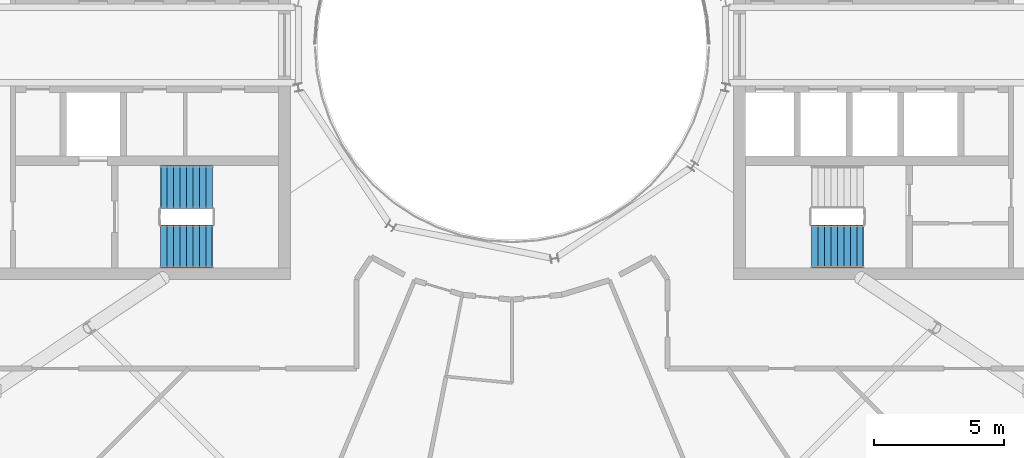
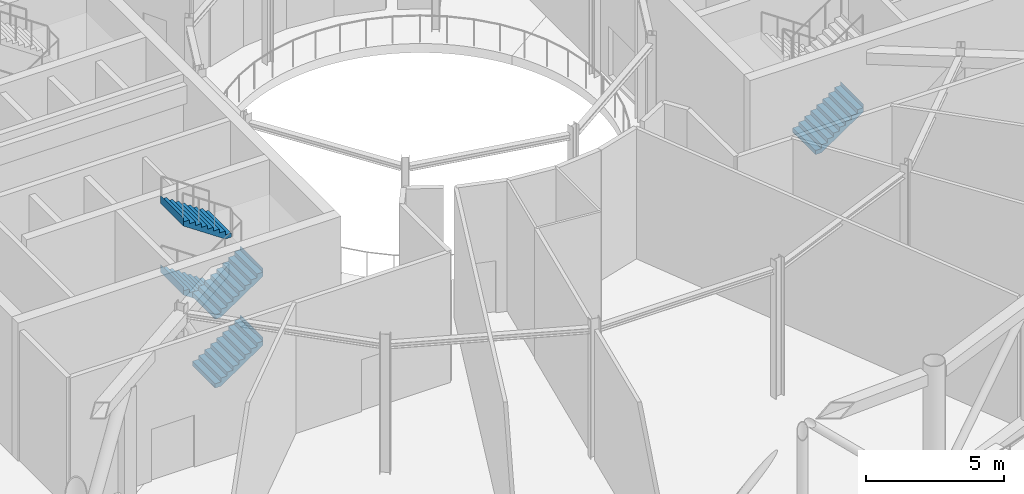
# One storey, part 16 of 24: 5 stair flights, 2 elements without a shape of their own.
"""IFC4 building model written with IfcOpenShell, lengths in metres."""

from ifc_helpers import new_model, si_unit, direction, frame, origin, place, context, subcontext, project, spatial, triangles, material, type_object, element, aggregate, save


model = new_model("IFC4")

# Units and contexts
model_context = context("Model", 3, precision=1e-05, world=origin(), true_north=direction((0.0, 1.0)))
body_context = subcontext(model_context, "Body", "Model", "MODEL_VIEW")
ifc_project = project(units=[si_unit("LENGTHUNIT", "METRE"), si_unit("AREAUNIT", "SQUARE_METRE"), si_unit("VOLUMEUNIT", "CUBIC_METRE"), si_unit("PLANEANGLEUNIT", "RADIAN"), si_unit("MASSUNIT", "GRAM", prefix="KILO")], contexts=[model_context])

# Site, building, storey
site_placement = place(None, origin())
site = spatial("IfcSite", under=ifc_project, at=site_placement, CompositionType="ELEMENT")
building_placement = place(site_placement, origin())
building = spatial("IfcBuilding", under=site, at=building_placement, Name="Maasbend Ring Residences", CompositionType="ELEMENT")
storey_placement = place(building_placement, frame((0.0, 0.0, 221.85009765625)))
storey = spatial("IfcBuildingStorey", under=building, at=storey_placement, Name="L64", CompositionType="ELEMENT", Elevation=221.85009765625)

# Stair, stair flight
ifc_material_1 = material(Name="Concrete C40/50", Category="concrete")
stair_type = type_object("IfcStairType", Name="CORE STAIR 36 RISERS", PredefinedType="HALF_TURN_STAIR", material=ifc_material_1)
stair_1_placement = place(storey_placement, origin())
stair_1 = element("IfcStair", 1, at=stair_1_placement, inside=storey, type_object=stair_type, Name="L64 Exit stair ST-E2", PredefinedType="HALF_TURN_STAIR")
ifc_material_2 = material(Name="Concrete C40/50", Category="concrete")
stair_flight_type = type_object("IfcStairFlightType", Name="CORE STAIR FLIGHT 1650", PredefinedType="STRAIGHT", material=ifc_material_2)
stair_flight_1_placement = place(storey_placement, frame((11.550048828125, -7.77490234375, 1.52490234375), z_axis=(0.0, 0.0, 1.0), x_axis=(1.0, 0.0, 0.0)))
stair_flight_1 = element("IfcStairFlight", 2, at=stair_flight_1_placement, type_object=stair_flight_type, Name="ST-E2 flight 2", NumberOfRisers=9, NumberOfTreads=8, PredefinedType="STRAIGHT", RiserHeight=0.169444444, TreadLength=0.25, context=body_context, shape_type="Tessellation", body=[
    triangles([(0.24072265625, 0.824951171875, -0.02001953125), (2.0029296875, 0.824951171875, 1.174560546875), (2.0029296875, 0.824951171875, 1.52490234375), (1.989990234375, 0.824951171875, 1.35546875), (1.75, 0.824951171875, 1.35546875), (1.75, 0.824951171875, 1.18603515625), (1.5, 0.824951171875, 1.18603515625), (1.5, 0.824951171875, 1.0166015625), (1.25, 0.824951171875, 1.0166015625), (1.25, 0.824951171875, 0.84716796875), (1.0, 0.824951171875, 0.84716796875), (1.0, 0.824951171875, 0.677734375), (0.75, 0.824951171875, 0.677734375), (0.75, 0.824951171875, 0.50830078125), (0.5, 0.824951171875, 0.50830078125), (0.5, 0.824951171875, 0.3388671875), (0.25, 0.824951171875, 0.3388671875), (0.25, 0.824951171875, 0.16943359375), (0.0, 0.824951171875, 0.16943359375), (0.0, 0.824951171875, 0.0), (-0.0029296875, 0.824951171875, 0.0), (-0.0029296875, 0.824951171875, -0.02001953125), (0.24072265625, 0.27490234375, -0.02001953125), (2.0029296875, 0.27490234375, 1.174560546875), (2.0029296875, 0.27490234375, 1.52490234375), (1.989990234375, 0.27490234375, 1.35546875), (1.75, 0.27490234375, 1.35546875), (1.75, 0.27490234375, 1.18603515625), (1.5, 0.27490234375, 1.18603515625), (1.5, 0.27490234375, 1.0166015625), (1.25, 0.27490234375, 1.0166015625), (1.25, 0.27490234375, 0.84716796875), (1.0, 0.27490234375, 0.84716796875), (1.0, 0.27490234375, 0.677734375), (0.75, 0.27490234375, 0.677734375), (0.75, 0.27490234375, 0.50830078125), (0.5, 0.27490234375, 0.50830078125), (0.5, 0.27490234375, 0.3388671875), (0.25, 0.27490234375, 0.3388671875), (0.25, 0.27490234375, 0.16943359375), (0.0, 0.27490234375, 0.16943359375), (0.0, 0.27490234375, 0.0), (-0.0029296875, 0.27490234375, 0.0), (-0.0029296875, 0.27490234375, -0.02001953125), (0.24072265625, -0.27490234375, -0.02001953125), (2.0029296875, -0.27490234375, 1.174560546875), (2.0029296875, -0.27490234375, 1.52490234375), (1.989990234375, -0.27490234375, 1.35546875), (1.75, -0.27490234375, 1.35546875), (1.75, -0.27490234375, 1.18603515625), (1.5, -0.27490234375, 1.18603515625), (1.5, -0.27490234375, 1.0166015625), (1.25, -0.27490234375, 1.0166015625), (1.25, -0.27490234375, 0.84716796875), (1.0, -0.27490234375, 0.84716796875), (1.0, -0.27490234375, 0.677734375), (0.75, -0.27490234375, 0.677734375), (0.75, -0.27490234375, 0.50830078125), (0.5, -0.27490234375, 0.50830078125), (0.5, -0.27490234375, 0.3388671875), (0.25, -0.27490234375, 0.3388671875), (0.25, -0.27490234375, 0.16943359375), (0.0, -0.27490234375, 0.16943359375), (0.0, -0.27490234375, 0.0), (-0.0029296875, -0.27490234375, 0.0), (-0.0029296875, -0.27490234375, -0.02001953125), (0.24072265625, -0.824951171875, -0.02001953125), (2.0029296875, -0.824951171875, 1.174560546875), (2.0029296875, -0.824951171875, 1.52490234375), (1.989990234375, -0.824951171875, 1.35546875), (1.75, -0.824951171875, 1.35546875), (1.75, -0.824951171875, 1.18603515625), (1.5, -0.824951171875, 1.18603515625), (1.5, -0.824951171875, 1.0166015625), (1.25, -0.824951171875, 1.0166015625), (1.25, -0.824951171875, 0.84716796875), (1.0, -0.824951171875, 0.84716796875), (1.0, -0.824951171875, 0.677734375), (0.75, -0.824951171875, 0.677734375), (0.75, -0.824951171875, 0.50830078125), (0.5, -0.824951171875, 0.50830078125), (0.5, -0.824951171875, 0.3388671875), (0.25, -0.824951171875, 0.3388671875), (0.25, -0.824951171875, 0.16943359375), (0.0, -0.824951171875, 0.16943359375), (0.0, -0.824951171875, 0.0), (-0.0029296875, -0.824951171875, 0.0), (-0.0029296875, -0.824951171875, -0.02001953125)], [[1, 2, 24], [1, 24, 23], [23, 24, 46], [23, 46, 45], [45, 46, 68], [45, 68, 67], [2, 3, 25], [2, 25, 24], [24, 25, 47], [24, 47, 46], [46, 47, 69], [46, 69, 68], [3, 4, 26], [3, 26, 25], [25, 26, 48], [25, 48, 47], [47, 48, 70], [47, 70, 69], [4, 5, 27], [4, 27, 26], [26, 27, 49], [26, 49, 48], [48, 49, 71], [48, 71, 70], [5, 6, 28], [5, 28, 27], [27, 28, 50], [27, 50, 49], [49, 50, 72], [49, 72, 71], [6, 7, 29], [6, 29, 28], [28, 29, 51], [28, 51, 50], [50, 51, 73], [50, 73, 72], [7, 8, 30], [7, 30, 29], [29, 30, 52], [29, 52, 51], [51, 52, 74], [51, 74, 73], [8, 9, 31], [8, 31, 30], [30, 31, 53], [30, 53, 52], [52, 53, 75], [52, 75, 74], [9, 10, 32], [9, 32, 31], [31, 32, 54], [31, 54, 53], [53, 54, 76], [53, 76, 75], [10, 11, 33], [10, 33, 32], [32, 33, 55], [32, 55, 54], [54, 55, 77], [54, 77, 76], [11, 12, 34], [11, 34, 33], [33, 34, 56], [33, 56, 55], [55, 56, 78], [55, 78, 77], [12, 13, 35], [12, 35, 34], [34, 35, 57], [34, 57, 56], [56, 57, 79], [56, 79, 78], [13, 14, 36], [13, 36, 35], [35, 36, 58], [35, 58, 57], [57, 58, 80], [57, 80, 79], [14, 15, 37], [14, 37, 36], [36, 37, 59], [36, 59, 58], [58, 59, 81], [58, 81, 80], [15, 16, 38], [15, 38, 37], [37, 38, 60], [37, 60, 59], [59, 60, 82], [59, 82, 81], [16, 17, 39], [16, 39, 38], [38, 39, 61], [38, 61, 60], [60, 61, 83], [60, 83, 82], [17, 18, 40], [17, 40, 39], [39, 40, 62], [39, 62, 61], [61, 62, 84], [61, 84, 83], [18, 19, 41], [18, 41, 40], [40, 41, 63], [40, 63, 62], [62, 63, 85], [62, 85, 84], [19, 20, 42], [19, 42, 41], [41, 42, 64], [41, 64, 63], [63, 64, 86], [63, 86, 85], [20, 21, 43], [20, 43, 42], [42, 43, 65], [42, 65, 64], [64, 65, 87], [64, 87, 86], [21, 22, 44], [21, 44, 43], [43, 44, 66], [43, 66, 65], [65, 66, 88], [65, 88, 87], [22, 1, 23], [22, 23, 44], [44, 23, 45], [44, 45, 66], [66, 45, 67], [66, 67, 88], [22, 2, 1], [2, 4, 3], [2, 5, 4], [2, 6, 5], [22, 6, 2], [6, 8, 7], [22, 8, 6], [8, 10, 9], [22, 10, 8], [10, 12, 11], [22, 12, 10], [12, 14, 13], [22, 14, 12], [14, 16, 15], [22, 16, 14], [16, 18, 17], [22, 18, 16], [18, 20, 19], [22, 20, 18], [20, 22, 21], [88, 67, 68], [68, 69, 70], [68, 70, 71], [68, 71, 72], [88, 68, 72], [72, 73, 74], [88, 72, 74], [74, 75, 76], [88, 74, 76], [76, 77, 78], [88, 76, 78], [78, 79, 80], [88, 78, 80], [80, 81, 82], [88, 80, 82], [82, 83, 84], [88, 82, 84], [84, 85, 86], [88, 84, 86], [86, 87, 88]], closed=True),
])
aggregate(stair_1, [stair_flight_1])

# Stair, stair flights
stair_2_placement = place(storey_placement, origin())
stair_2 = element("IfcStair", 3, at=stair_2_placement, inside=storey, type_object=stair_type, Name="L64 Exit stair ST-W1", PredefinedType="HALF_TURN_STAIR")
stair_flight_2_placement = place(storey_placement, frame((-13.550048828125, -7.77490234375, 0.0), z_axis=(0.0, 0.0, 1.0), x_axis=(1.0, 0.0, 0.0)))
stair_flight_2 = element("IfcStairFlight", 4, at=stair_flight_2_placement, type_object=stair_flight_type, Name="ST-W1 flight 1", NumberOfRisers=9, NumberOfTreads=8, PredefinedType="STRAIGHT", RiserHeight=0.169444444, TreadLength=0.25, context=body_context, shape_type="Tessellation", body=[
    triangles([(0.24072265625, 0.824951171875, -0.02001953125), (2.0029296875, 0.824951171875, 1.174560546875), (2.0029296875, 0.824951171875, 1.52490234375), (1.989990234375, 0.824951171875, 1.35546875), (1.75, 0.824951171875, 1.35546875), (1.75, 0.824951171875, 1.18603515625), (1.5, 0.824951171875, 1.18603515625), (1.5, 0.824951171875, 1.0166015625), (1.25, 0.824951171875, 1.0166015625), (1.25, 0.824951171875, 0.84716796875), (1.0, 0.824951171875, 0.84716796875), (1.0, 0.824951171875, 0.677734375), (0.75, 0.824951171875, 0.677734375), (0.75, 0.824951171875, 0.50830078125), (0.5, 0.824951171875, 0.50830078125), (0.5, 0.824951171875, 0.3388671875), (0.25, 0.824951171875, 0.3388671875), (0.25, 0.824951171875, 0.16943359375), (0.0, 0.824951171875, 0.16943359375), (0.0, 0.824951171875, 0.0), (-0.0029296875, 0.824951171875, 0.0), (-0.0029296875, 0.824951171875, -0.02001953125), (0.24072265625, 0.27490234375, -0.02001953125), (2.0029296875, 0.27490234375, 1.174560546875), (2.0029296875, 0.27490234375, 1.52490234375), (1.989990234375, 0.27490234375, 1.35546875), (1.75, 0.27490234375, 1.35546875), (1.75, 0.27490234375, 1.18603515625), (1.5, 0.27490234375, 1.18603515625), (1.5, 0.27490234375, 1.0166015625), (1.25, 0.27490234375, 1.0166015625), (1.25, 0.27490234375, 0.84716796875), (1.0, 0.27490234375, 0.84716796875), (1.0, 0.27490234375, 0.677734375), (0.75, 0.27490234375, 0.677734375), (0.75, 0.27490234375, 0.50830078125), (0.5, 0.27490234375, 0.50830078125), (0.5, 0.27490234375, 0.3388671875), (0.25, 0.27490234375, 0.3388671875), (0.25, 0.27490234375, 0.16943359375), (0.0, 0.27490234375, 0.16943359375), (0.0, 0.27490234375, 0.0), (-0.0029296875, 0.27490234375, 0.0), (-0.0029296875, 0.27490234375, -0.02001953125), (0.24072265625, -0.27490234375, -0.02001953125), (2.0029296875, -0.27490234375, 1.174560546875), (2.0029296875, -0.27490234375, 1.52490234375), (1.989990234375, -0.27490234375, 1.35546875), (1.75, -0.27490234375, 1.35546875), (1.75, -0.27490234375, 1.18603515625), (1.5, -0.27490234375, 1.18603515625), (1.5, -0.27490234375, 1.0166015625), (1.25, -0.27490234375, 1.0166015625), (1.25, -0.27490234375, 0.84716796875), (1.0, -0.27490234375, 0.84716796875), (1.0, -0.27490234375, 0.677734375), (0.75, -0.27490234375, 0.677734375), (0.75, -0.27490234375, 0.50830078125), (0.5, -0.27490234375, 0.50830078125), (0.5, -0.27490234375, 0.3388671875), (0.25, -0.27490234375, 0.3388671875), (0.25, -0.27490234375, 0.16943359375), (0.0, -0.27490234375, 0.16943359375), (0.0, -0.27490234375, 0.0), (-0.0029296875, -0.27490234375, 0.0), (-0.0029296875, -0.27490234375, -0.02001953125), (0.24072265625, -0.824951171875, -0.02001953125), (2.0029296875, -0.824951171875, 1.174560546875), (2.0029296875, -0.824951171875, 1.52490234375), (1.989990234375, -0.824951171875, 1.35546875), (1.75, -0.824951171875, 1.35546875), (1.75, -0.824951171875, 1.18603515625), (1.5, -0.824951171875, 1.18603515625), (1.5, -0.824951171875, 1.0166015625), (1.25, -0.824951171875, 1.0166015625), (1.25, -0.824951171875, 0.84716796875), (1.0, -0.824951171875, 0.84716796875), (1.0, -0.824951171875, 0.677734375), (0.75, -0.824951171875, 0.677734375), (0.75, -0.824951171875, 0.50830078125), (0.5, -0.824951171875, 0.50830078125), (0.5, -0.824951171875, 0.3388671875), (0.25, -0.824951171875, 0.3388671875), (0.25, -0.824951171875, 0.16943359375), (0.0, -0.824951171875, 0.16943359375), (0.0, -0.824951171875, 0.0), (-0.0029296875, -0.824951171875, 0.0), (-0.0029296875, -0.824951171875, -0.02001953125)], [[1, 2, 24], [1, 24, 23], [23, 24, 46], [23, 46, 45], [45, 46, 68], [45, 68, 67], [2, 3, 25], [2, 25, 24], [24, 25, 47], [24, 47, 46], [46, 47, 69], [46, 69, 68], [3, 4, 26], [3, 26, 25], [25, 26, 48], [25, 48, 47], [47, 48, 70], [47, 70, 69], [4, 5, 27], [4, 27, 26], [26, 27, 49], [26, 49, 48], [48, 49, 71], [48, 71, 70], [5, 6, 28], [5, 28, 27], [27, 28, 50], [27, 50, 49], [49, 50, 72], [49, 72, 71], [6, 7, 29], [6, 29, 28], [28, 29, 51], [28, 51, 50], [50, 51, 73], [50, 73, 72], [7, 8, 30], [7, 30, 29], [29, 30, 52], [29, 52, 51], [51, 52, 74], [51, 74, 73], [8, 9, 31], [8, 31, 30], [30, 31, 53], [30, 53, 52], [52, 53, 75], [52, 75, 74], [9, 10, 32], [9, 32, 31], [31, 32, 54], [31, 54, 53], [53, 54, 76], [53, 76, 75], [10, 11, 33], [10, 33, 32], [32, 33, 55], [32, 55, 54], [54, 55, 77], [54, 77, 76], [11, 12, 34], [11, 34, 33], [33, 34, 56], [33, 56, 55], [55, 56, 78], [55, 78, 77], [12, 13, 35], [12, 35, 34], [34, 35, 57], [34, 57, 56], [56, 57, 79], [56, 79, 78], [13, 14, 36], [13, 36, 35], [35, 36, 58], [35, 58, 57], [57, 58, 80], [57, 80, 79], [14, 15, 37], [14, 37, 36], [36, 37, 59], [36, 59, 58], [58, 59, 81], [58, 81, 80], [15, 16, 38], [15, 38, 37], [37, 38, 60], [37, 60, 59], [59, 60, 82], [59, 82, 81], [16, 17, 39], [16, 39, 38], [38, 39, 61], [38, 61, 60], [60, 61, 83], [60, 83, 82], [17, 18, 40], [17, 40, 39], [39, 40, 62], [39, 62, 61], [61, 62, 84], [61, 84, 83], [18, 19, 41], [18, 41, 40], [40, 41, 63], [40, 63, 62], [62, 63, 85], [62, 85, 84], [19, 20, 42], [19, 42, 41], [41, 42, 64], [41, 64, 63], [63, 64, 86], [63, 86, 85], [20, 21, 43], [20, 43, 42], [42, 43, 65], [42, 65, 64], [64, 65, 87], [64, 87, 86], [21, 22, 44], [21, 44, 43], [43, 44, 66], [43, 66, 65], [65, 66, 88], [65, 88, 87], [22, 1, 23], [22, 23, 44], [44, 23, 45], [44, 45, 66], [66, 45, 67], [66, 67, 88], [22, 2, 1], [2, 4, 3], [2, 5, 4], [2, 6, 5], [22, 6, 2], [6, 8, 7], [22, 8, 6], [8, 10, 9], [22, 10, 8], [10, 12, 11], [22, 12, 10], [12, 14, 13], [22, 14, 12], [14, 16, 15], [22, 16, 14], [16, 18, 17], [22, 18, 16], [18, 20, 19], [22, 20, 18], [20, 22, 21], [88, 67, 68], [68, 69, 70], [68, 70, 71], [68, 71, 72], [88, 68, 72], [72, 73, 74], [88, 72, 74], [74, 75, 76], [88, 74, 76], [76, 77, 78], [88, 76, 78], [78, 79, 80], [88, 78, 80], [80, 81, 82], [88, 80, 82], [82, 83, 84], [88, 82, 84], [84, 85, 86], [88, 84, 86], [86, 87, 88]], closed=True),
])
stair_flight_3_placement = place(storey_placement, frame((-11.550048828125, -5.47509765625, 1.52490234375), z_axis=(0.0, 0.0, 1.0), x_axis=(-1.0, 0.0, 0.0)))
stair_flight_3 = element("IfcStairFlight", 5, at=stair_flight_3_placement, type_object=stair_flight_type, Name="ST-W1 flight 2", NumberOfRisers=9, NumberOfTreads=8, PredefinedType="STRAIGHT", RiserHeight=0.169444444, TreadLength=0.25, context=body_context, shape_type="Tessellation", body=[
    triangles([(0.24072265625, 0.824951171875, -0.02001953125), (2.0029296875, 0.824951171875, 1.174560546875), (2.0029296875, 0.824951171875, 1.52490234375), (1.989990234375, 0.824951171875, 1.35546875), (1.75, 0.824951171875, 1.35546875), (1.75, 0.824951171875, 1.18603515625), (1.5, 0.824951171875, 1.18603515625), (1.5, 0.824951171875, 1.0166015625), (1.25, 0.824951171875, 1.0166015625), (1.25, 0.824951171875, 0.84716796875), (1.0, 0.824951171875, 0.84716796875), (1.0, 0.824951171875, 0.677734375), (0.75, 0.824951171875, 0.677734375), (0.75, 0.824951171875, 0.50830078125), (0.5, 0.824951171875, 0.50830078125), (0.5, 0.824951171875, 0.3388671875), (0.25, 0.824951171875, 0.3388671875), (0.25, 0.824951171875, 0.16943359375), (0.0, 0.824951171875, 0.16943359375), (0.0, 0.824951171875, 0.0), (-0.0029296875, 0.824951171875, 0.0), (-0.0029296875, 0.824951171875, -0.02001953125), (0.24072265625, 0.27490234375, -0.02001953125), (2.0029296875, 0.27490234375, 1.174560546875), (2.0029296875, 0.27490234375, 1.52490234375), (1.989990234375, 0.27490234375, 1.35546875), (1.75, 0.27490234375, 1.35546875), (1.75, 0.27490234375, 1.18603515625), (1.5, 0.27490234375, 1.18603515625), (1.5, 0.27490234375, 1.0166015625), (1.25, 0.27490234375, 1.0166015625), (1.25, 0.27490234375, 0.84716796875), (1.0, 0.27490234375, 0.84716796875), (1.0, 0.27490234375, 0.677734375), (0.75, 0.27490234375, 0.677734375), (0.75, 0.27490234375, 0.50830078125), (0.5, 0.27490234375, 0.50830078125), (0.5, 0.27490234375, 0.3388671875), (0.25, 0.27490234375, 0.3388671875), (0.25, 0.27490234375, 0.16943359375), (0.0, 0.27490234375, 0.16943359375), (0.0, 0.27490234375, 0.0), (-0.0029296875, 0.27490234375, 0.0), (-0.0029296875, 0.27490234375, -0.02001953125), (0.24072265625, -0.27490234375, -0.02001953125), (2.0029296875, -0.27490234375, 1.174560546875), (2.0029296875, -0.27490234375, 1.52490234375), (1.989990234375, -0.27490234375, 1.35546875), (1.75, -0.27490234375, 1.35546875), (1.75, -0.27490234375, 1.18603515625), (1.5, -0.27490234375, 1.18603515625), (1.5, -0.27490234375, 1.0166015625), (1.25, -0.27490234375, 1.0166015625), (1.25, -0.27490234375, 0.84716796875), (1.0, -0.27490234375, 0.84716796875), (1.0, -0.27490234375, 0.677734375), (0.75, -0.27490234375, 0.677734375), (0.75, -0.27490234375, 0.50830078125), (0.5, -0.27490234375, 0.50830078125), (0.5, -0.27490234375, 0.3388671875), (0.25, -0.27490234375, 0.3388671875), (0.25, -0.27490234375, 0.16943359375), (0.0, -0.27490234375, 0.16943359375), (0.0, -0.27490234375, 0.0), (-0.0029296875, -0.27490234375, 0.0), (-0.0029296875, -0.27490234375, -0.02001953125), (0.24072265625, -0.824951171875, -0.02001953125), (2.0029296875, -0.824951171875, 1.174560546875), (2.0029296875, -0.824951171875, 1.52490234375), (1.989990234375, -0.824951171875, 1.35546875), (1.75, -0.824951171875, 1.35546875), (1.75, -0.824951171875, 1.18603515625), (1.5, -0.824951171875, 1.18603515625), (1.5, -0.824951171875, 1.0166015625), (1.25, -0.824951171875, 1.0166015625), (1.25, -0.824951171875, 0.84716796875), (1.0, -0.824951171875, 0.84716796875), (1.0, -0.824951171875, 0.677734375), (0.75, -0.824951171875, 0.677734375), (0.75, -0.824951171875, 0.50830078125), (0.5, -0.824951171875, 0.50830078125), (0.5, -0.824951171875, 0.3388671875), (0.25, -0.824951171875, 0.3388671875), (0.25, -0.824951171875, 0.16943359375), (0.0, -0.824951171875, 0.16943359375), (0.0, -0.824951171875, 0.0), (-0.0029296875, -0.824951171875, 0.0), (-0.0029296875, -0.824951171875, -0.02001953125)], [[1, 2, 24], [1, 24, 23], [23, 24, 46], [23, 46, 45], [45, 46, 68], [45, 68, 67], [2, 3, 25], [2, 25, 24], [24, 25, 47], [24, 47, 46], [46, 47, 69], [46, 69, 68], [3, 4, 26], [3, 26, 25], [25, 26, 48], [25, 48, 47], [47, 48, 70], [47, 70, 69], [4, 5, 27], [4, 27, 26], [26, 27, 49], [26, 49, 48], [48, 49, 71], [48, 71, 70], [5, 6, 28], [5, 28, 27], [27, 28, 50], [27, 50, 49], [49, 50, 72], [49, 72, 71], [6, 7, 29], [6, 29, 28], [28, 29, 51], [28, 51, 50], [50, 51, 73], [50, 73, 72], [7, 8, 30], [7, 30, 29], [29, 30, 52], [29, 52, 51], [51, 52, 74], [51, 74, 73], [8, 9, 31], [8, 31, 30], [30, 31, 53], [30, 53, 52], [52, 53, 75], [52, 75, 74], [9, 10, 32], [9, 32, 31], [31, 32, 54], [31, 54, 53], [53, 54, 76], [53, 76, 75], [10, 11, 33], [10, 33, 32], [32, 33, 55], [32, 55, 54], [54, 55, 77], [54, 77, 76], [11, 12, 34], [11, 34, 33], [33, 34, 56], [33, 56, 55], [55, 56, 78], [55, 78, 77], [12, 13, 35], [12, 35, 34], [34, 35, 57], [34, 57, 56], [56, 57, 79], [56, 79, 78], [13, 14, 36], [13, 36, 35], [35, 36, 58], [35, 58, 57], [57, 58, 80], [57, 80, 79], [14, 15, 37], [14, 37, 36], [36, 37, 59], [36, 59, 58], [58, 59, 81], [58, 81, 80], [15, 16, 38], [15, 38, 37], [37, 38, 60], [37, 60, 59], [59, 60, 82], [59, 82, 81], [16, 17, 39], [16, 39, 38], [38, 39, 61], [38, 61, 60], [60, 61, 83], [60, 83, 82], [17, 18, 40], [17, 40, 39], [39, 40, 62], [39, 62, 61], [61, 62, 84], [61, 84, 83], [18, 19, 41], [18, 41, 40], [40, 41, 63], [40, 63, 62], [62, 63, 85], [62, 85, 84], [19, 20, 42], [19, 42, 41], [41, 42, 64], [41, 64, 63], [63, 64, 86], [63, 86, 85], [20, 21, 43], [20, 43, 42], [42, 43, 65], [42, 65, 64], [64, 65, 87], [64, 87, 86], [21, 22, 44], [21, 44, 43], [43, 44, 66], [43, 66, 65], [65, 66, 88], [65, 88, 87], [22, 1, 23], [22, 23, 44], [44, 23, 45], [44, 45, 66], [66, 45, 67], [66, 67, 88], [22, 2, 1], [2, 4, 3], [2, 5, 4], [2, 6, 5], [22, 6, 2], [6, 8, 7], [22, 8, 6], [8, 10, 9], [22, 10, 8], [10, 12, 11], [22, 12, 10], [12, 14, 13], [22, 14, 12], [14, 16, 15], [22, 16, 14], [16, 18, 17], [22, 18, 16], [18, 20, 19], [22, 20, 18], [20, 22, 21], [88, 67, 68], [68, 69, 70], [68, 70, 71], [68, 71, 72], [88, 68, 72], [72, 73, 74], [88, 72, 74], [74, 75, 76], [88, 74, 76], [76, 77, 78], [88, 76, 78], [78, 79, 80], [88, 78, 80], [80, 81, 82], [88, 80, 82], [82, 83, 84], [88, 82, 84], [84, 85, 86], [88, 84, 86], [86, 87, 88]], closed=True),
])
stair_flight_4_placement = place(storey_placement, frame((-13.550048828125, -7.77490234375, 3.0498046875), z_axis=(0.0, 0.0, 1.0), x_axis=(1.0, 0.0, 0.0)))
stair_flight_4 = element("IfcStairFlight", 6, at=stair_flight_4_placement, type_object=stair_flight_type, Name="ST-W1 flight 3", NumberOfRisers=9, NumberOfTreads=8, PredefinedType="STRAIGHT", RiserHeight=0.169444444, TreadLength=0.25, context=body_context, shape_type="Tessellation", body=[
    triangles([(0.24072265625, 0.824951171875, -0.02001953125), (2.0029296875, 0.824951171875, 1.174560546875), (2.0029296875, 0.824951171875, 1.52490234375), (1.989990234375, 0.824951171875, 1.35546875), (1.75, 0.824951171875, 1.35546875), (1.75, 0.824951171875, 1.18603515625), (1.5, 0.824951171875, 1.18603515625), (1.5, 0.824951171875, 1.0166015625), (1.25, 0.824951171875, 1.0166015625), (1.25, 0.824951171875, 0.84716796875), (1.0, 0.824951171875, 0.84716796875), (1.0, 0.824951171875, 0.677734375), (0.75, 0.824951171875, 0.677734375), (0.75, 0.824951171875, 0.50830078125), (0.5, 0.824951171875, 0.50830078125), (0.5, 0.824951171875, 0.3388671875), (0.25, 0.824951171875, 0.3388671875), (0.25, 0.824951171875, 0.16943359375), (0.0, 0.824951171875, 0.16943359375), (0.0, 0.824951171875, 0.0), (-0.0029296875, 0.824951171875, 0.0), (-0.0029296875, 0.824951171875, -0.02001953125), (0.24072265625, 0.27490234375, -0.02001953125), (2.0029296875, 0.27490234375, 1.174560546875), (2.0029296875, 0.27490234375, 1.52490234375), (1.989990234375, 0.27490234375, 1.35546875), (1.75, 0.27490234375, 1.35546875), (1.75, 0.27490234375, 1.18603515625), (1.5, 0.27490234375, 1.18603515625), (1.5, 0.27490234375, 1.0166015625), (1.25, 0.27490234375, 1.0166015625), (1.25, 0.27490234375, 0.84716796875), (1.0, 0.27490234375, 0.84716796875), (1.0, 0.27490234375, 0.677734375), (0.75, 0.27490234375, 0.677734375), (0.75, 0.27490234375, 0.50830078125), (0.5, 0.27490234375, 0.50830078125), (0.5, 0.27490234375, 0.3388671875), (0.25, 0.27490234375, 0.3388671875), (0.25, 0.27490234375, 0.16943359375), (0.0, 0.27490234375, 0.16943359375), (0.0, 0.27490234375, 0.0), (-0.0029296875, 0.27490234375, 0.0), (-0.0029296875, 0.27490234375, -0.02001953125), (0.24072265625, -0.27490234375, -0.02001953125), (2.0029296875, -0.27490234375, 1.174560546875), (2.0029296875, -0.27490234375, 1.52490234375), (1.989990234375, -0.27490234375, 1.35546875), (1.75, -0.27490234375, 1.35546875), (1.75, -0.27490234375, 1.18603515625), (1.5, -0.27490234375, 1.18603515625), (1.5, -0.27490234375, 1.0166015625), (1.25, -0.27490234375, 1.0166015625), (1.25, -0.27490234375, 0.84716796875), (1.0, -0.27490234375, 0.84716796875), (1.0, -0.27490234375, 0.677734375), (0.75, -0.27490234375, 0.677734375), (0.75, -0.27490234375, 0.50830078125), (0.5, -0.27490234375, 0.50830078125), (0.5, -0.27490234375, 0.3388671875), (0.25, -0.27490234375, 0.3388671875), (0.25, -0.27490234375, 0.16943359375), (0.0, -0.27490234375, 0.16943359375), (0.0, -0.27490234375, 0.0), (-0.0029296875, -0.27490234375, 0.0), (-0.0029296875, -0.27490234375, -0.02001953125), (0.24072265625, -0.824951171875, -0.02001953125), (2.0029296875, -0.824951171875, 1.174560546875), (2.0029296875, -0.824951171875, 1.52490234375), (1.989990234375, -0.824951171875, 1.35546875), (1.75, -0.824951171875, 1.35546875), (1.75, -0.824951171875, 1.18603515625), (1.5, -0.824951171875, 1.18603515625), (1.5, -0.824951171875, 1.0166015625), (1.25, -0.824951171875, 1.0166015625), (1.25, -0.824951171875, 0.84716796875), (1.0, -0.824951171875, 0.84716796875), (1.0, -0.824951171875, 0.677734375), (0.75, -0.824951171875, 0.677734375), (0.75, -0.824951171875, 0.50830078125), (0.5, -0.824951171875, 0.50830078125), (0.5, -0.824951171875, 0.3388671875), (0.25, -0.824951171875, 0.3388671875), (0.25, -0.824951171875, 0.16943359375), (0.0, -0.824951171875, 0.16943359375), (0.0, -0.824951171875, 0.0), (-0.0029296875, -0.824951171875, 0.0), (-0.0029296875, -0.824951171875, -0.02001953125)], [[1, 2, 24], [1, 24, 23], [23, 24, 46], [23, 46, 45], [45, 46, 68], [45, 68, 67], [2, 3, 25], [2, 25, 24], [24, 25, 47], [24, 47, 46], [46, 47, 69], [46, 69, 68], [3, 4, 26], [3, 26, 25], [25, 26, 48], [25, 48, 47], [47, 48, 70], [47, 70, 69], [4, 5, 27], [4, 27, 26], [26, 27, 49], [26, 49, 48], [48, 49, 71], [48, 71, 70], [5, 6, 28], [5, 28, 27], [27, 28, 50], [27, 50, 49], [49, 50, 72], [49, 72, 71], [6, 7, 29], [6, 29, 28], [28, 29, 51], [28, 51, 50], [50, 51, 73], [50, 73, 72], [7, 8, 30], [7, 30, 29], [29, 30, 52], [29, 52, 51], [51, 52, 74], [51, 74, 73], [8, 9, 31], [8, 31, 30], [30, 31, 53], [30, 53, 52], [52, 53, 75], [52, 75, 74], [9, 10, 32], [9, 32, 31], [31, 32, 54], [31, 54, 53], [53, 54, 76], [53, 76, 75], [10, 11, 33], [10, 33, 32], [32, 33, 55], [32, 55, 54], [54, 55, 77], [54, 77, 76], [11, 12, 34], [11, 34, 33], [33, 34, 56], [33, 56, 55], [55, 56, 78], [55, 78, 77], [12, 13, 35], [12, 35, 34], [34, 35, 57], [34, 57, 56], [56, 57, 79], [56, 79, 78], [13, 14, 36], [13, 36, 35], [35, 36, 58], [35, 58, 57], [57, 58, 80], [57, 80, 79], [14, 15, 37], [14, 37, 36], [36, 37, 59], [36, 59, 58], [58, 59, 81], [58, 81, 80], [15, 16, 38], [15, 38, 37], [37, 38, 60], [37, 60, 59], [59, 60, 82], [59, 82, 81], [16, 17, 39], [16, 39, 38], [38, 39, 61], [38, 61, 60], [60, 61, 83], [60, 83, 82], [17, 18, 40], [17, 40, 39], [39, 40, 62], [39, 62, 61], [61, 62, 84], [61, 84, 83], [18, 19, 41], [18, 41, 40], [40, 41, 63], [40, 63, 62], [62, 63, 85], [62, 85, 84], [19, 20, 42], [19, 42, 41], [41, 42, 64], [41, 64, 63], [63, 64, 86], [63, 86, 85], [20, 21, 43], [20, 43, 42], [42, 43, 65], [42, 65, 64], [64, 65, 87], [64, 87, 86], [21, 22, 44], [21, 44, 43], [43, 44, 66], [43, 66, 65], [65, 66, 88], [65, 88, 87], [22, 1, 23], [22, 23, 44], [44, 23, 45], [44, 45, 66], [66, 45, 67], [66, 67, 88], [22, 2, 1], [2, 4, 3], [2, 5, 4], [2, 6, 5], [22, 6, 2], [6, 8, 7], [22, 8, 6], [8, 10, 9], [22, 10, 8], [10, 12, 11], [22, 12, 10], [12, 14, 13], [22, 14, 12], [14, 16, 15], [22, 16, 14], [16, 18, 17], [22, 18, 16], [18, 20, 19], [22, 20, 18], [20, 22, 21], [88, 67, 68], [68, 69, 70], [68, 70, 71], [68, 71, 72], [88, 68, 72], [72, 73, 74], [88, 72, 74], [74, 75, 76], [88, 74, 76], [76, 77, 78], [88, 76, 78], [78, 79, 80], [88, 78, 80], [80, 81, 82], [88, 80, 82], [82, 83, 84], [88, 82, 84], [84, 85, 86], [88, 84, 86], [86, 87, 88]], closed=True),
])
stair_flight_5_placement = place(storey_placement, frame((-11.550048828125, -5.47509765625, 4.574951171875), z_axis=(0.0, 0.0, 1.0), x_axis=(-1.0, 0.0, 0.0)))
stair_flight_5 = element("IfcStairFlight", 7, at=stair_flight_5_placement, type_object=stair_flight_type, Name="ST-W1 flight 4", NumberOfRisers=9, NumberOfTreads=8, PredefinedType="STRAIGHT", RiserHeight=0.169444444, TreadLength=0.25, context=body_context, shape_type="Tessellation", body=[
    triangles([(0.24072265625, 0.824951171875, -0.02001953125), (2.0029296875, 0.824951171875, 1.174560546875), (2.0029296875, 0.824951171875, 1.52490234375), (1.989990234375, 0.824951171875, 1.35546875), (1.75, 0.824951171875, 1.35546875), (1.75, 0.824951171875, 1.18603515625), (1.5, 0.824951171875, 1.18603515625), (1.5, 0.824951171875, 1.0166015625), (1.25, 0.824951171875, 1.0166015625), (1.25, 0.824951171875, 0.84716796875), (1.0, 0.824951171875, 0.84716796875), (1.0, 0.824951171875, 0.677734375), (0.75, 0.824951171875, 0.677734375), (0.75, 0.824951171875, 0.50830078125), (0.5, 0.824951171875, 0.50830078125), (0.5, 0.824951171875, 0.3388671875), (0.25, 0.824951171875, 0.3388671875), (0.25, 0.824951171875, 0.16943359375), (0.0, 0.824951171875, 0.16943359375), (0.0, 0.824951171875, 0.0), (-0.0029296875, 0.824951171875, 0.0), (-0.0029296875, 0.824951171875, -0.02001953125), (0.24072265625, 0.27490234375, -0.02001953125), (2.0029296875, 0.27490234375, 1.174560546875), (2.0029296875, 0.27490234375, 1.52490234375), (1.989990234375, 0.27490234375, 1.35546875), (1.75, 0.27490234375, 1.35546875), (1.75, 0.27490234375, 1.18603515625), (1.5, 0.27490234375, 1.18603515625), (1.5, 0.27490234375, 1.0166015625), (1.25, 0.27490234375, 1.0166015625), (1.25, 0.27490234375, 0.84716796875), (1.0, 0.27490234375, 0.84716796875), (1.0, 0.27490234375, 0.677734375), (0.75, 0.27490234375, 0.677734375), (0.75, 0.27490234375, 0.50830078125), (0.5, 0.27490234375, 0.50830078125), (0.5, 0.27490234375, 0.3388671875), (0.25, 0.27490234375, 0.3388671875), (0.25, 0.27490234375, 0.16943359375), (0.0, 0.27490234375, 0.16943359375), (0.0, 0.27490234375, 0.0), (-0.0029296875, 0.27490234375, 0.0), (-0.0029296875, 0.27490234375, -0.02001953125), (0.24072265625, -0.27490234375, -0.02001953125), (2.0029296875, -0.27490234375, 1.174560546875), (2.0029296875, -0.27490234375, 1.52490234375), (1.989990234375, -0.27490234375, 1.35546875), (1.75, -0.27490234375, 1.35546875), (1.75, -0.27490234375, 1.18603515625), (1.5, -0.27490234375, 1.18603515625), (1.5, -0.27490234375, 1.0166015625), (1.25, -0.27490234375, 1.0166015625), (1.25, -0.27490234375, 0.84716796875), (1.0, -0.27490234375, 0.84716796875), (1.0, -0.27490234375, 0.677734375), (0.75, -0.27490234375, 0.677734375), (0.75, -0.27490234375, 0.50830078125), (0.5, -0.27490234375, 0.50830078125), (0.5, -0.27490234375, 0.3388671875), (0.25, -0.27490234375, 0.3388671875), (0.25, -0.27490234375, 0.16943359375), (0.0, -0.27490234375, 0.16943359375), (0.0, -0.27490234375, 0.0), (-0.0029296875, -0.27490234375, 0.0), (-0.0029296875, -0.27490234375, -0.02001953125), (0.24072265625, -0.824951171875, -0.02001953125), (2.0029296875, -0.824951171875, 1.174560546875), (2.0029296875, -0.824951171875, 1.52490234375), (1.989990234375, -0.824951171875, 1.35546875), (1.75, -0.824951171875, 1.35546875), (1.75, -0.824951171875, 1.18603515625), (1.5, -0.824951171875, 1.18603515625), (1.5, -0.824951171875, 1.0166015625), (1.25, -0.824951171875, 1.0166015625), (1.25, -0.824951171875, 0.84716796875), (1.0, -0.824951171875, 0.84716796875), (1.0, -0.824951171875, 0.677734375), (0.75, -0.824951171875, 0.677734375), (0.75, -0.824951171875, 0.50830078125), (0.5, -0.824951171875, 0.50830078125), (0.5, -0.824951171875, 0.3388671875), (0.25, -0.824951171875, 0.3388671875), (0.25, -0.824951171875, 0.16943359375), (0.0, -0.824951171875, 0.16943359375), (0.0, -0.824951171875, 0.0), (-0.0029296875, -0.824951171875, 0.0), (-0.0029296875, -0.824951171875, -0.02001953125)], [[1, 2, 24], [1, 24, 23], [23, 24, 46], [23, 46, 45], [45, 46, 68], [45, 68, 67], [2, 3, 25], [2, 25, 24], [24, 25, 47], [24, 47, 46], [46, 47, 69], [46, 69, 68], [3, 4, 26], [3, 26, 25], [25, 26, 48], [25, 48, 47], [47, 48, 70], [47, 70, 69], [4, 5, 27], [4, 27, 26], [26, 27, 49], [26, 49, 48], [48, 49, 71], [48, 71, 70], [5, 6, 28], [5, 28, 27], [27, 28, 50], [27, 50, 49], [49, 50, 72], [49, 72, 71], [6, 7, 29], [6, 29, 28], [28, 29, 51], [28, 51, 50], [50, 51, 73], [50, 73, 72], [7, 8, 30], [7, 30, 29], [29, 30, 52], [29, 52, 51], [51, 52, 74], [51, 74, 73], [8, 9, 31], [8, 31, 30], [30, 31, 53], [30, 53, 52], [52, 53, 75], [52, 75, 74], [9, 10, 32], [9, 32, 31], [31, 32, 54], [31, 54, 53], [53, 54, 76], [53, 76, 75], [10, 11, 33], [10, 33, 32], [32, 33, 55], [32, 55, 54], [54, 55, 77], [54, 77, 76], [11, 12, 34], [11, 34, 33], [33, 34, 56], [33, 56, 55], [55, 56, 78], [55, 78, 77], [12, 13, 35], [12, 35, 34], [34, 35, 57], [34, 57, 56], [56, 57, 79], [56, 79, 78], [13, 14, 36], [13, 36, 35], [35, 36, 58], [35, 58, 57], [57, 58, 80], [57, 80, 79], [14, 15, 37], [14, 37, 36], [36, 37, 59], [36, 59, 58], [58, 59, 81], [58, 81, 80], [15, 16, 38], [15, 38, 37], [37, 38, 60], [37, 60, 59], [59, 60, 82], [59, 82, 81], [16, 17, 39], [16, 39, 38], [38, 39, 61], [38, 61, 60], [60, 61, 83], [60, 83, 82], [17, 18, 40], [17, 40, 39], [39, 40, 62], [39, 62, 61], [61, 62, 84], [61, 84, 83], [18, 19, 41], [18, 41, 40], [40, 41, 63], [40, 63, 62], [62, 63, 85], [62, 85, 84], [19, 20, 42], [19, 42, 41], [41, 42, 64], [41, 64, 63], [63, 64, 86], [63, 86, 85], [20, 21, 43], [20, 43, 42], [42, 43, 65], [42, 65, 64], [64, 65, 87], [64, 87, 86], [21, 22, 44], [21, 44, 43], [43, 44, 66], [43, 66, 65], [65, 66, 88], [65, 88, 87], [22, 1, 23], [22, 23, 44], [44, 23, 45], [44, 45, 66], [66, 45, 67], [66, 67, 88], [22, 2, 1], [2, 4, 3], [2, 5, 4], [2, 6, 5], [22, 6, 2], [6, 8, 7], [22, 8, 6], [8, 10, 9], [22, 10, 8], [10, 12, 11], [22, 12, 10], [12, 14, 13], [22, 14, 12], [14, 16, 15], [22, 16, 14], [16, 18, 17], [22, 18, 16], [18, 20, 19], [22, 20, 18], [20, 22, 21], [88, 67, 68], [68, 69, 70], [68, 70, 71], [68, 71, 72], [88, 68, 72], [72, 73, 74], [88, 72, 74], [74, 75, 76], [88, 74, 76], [76, 77, 78], [88, 76, 78], [78, 79, 80], [88, 78, 80], [80, 81, 82], [88, 80, 82], [82, 83, 84], [88, 82, 84], [84, 85, 86], [88, 84, 86], [86, 87, 88]], closed=True),
])
aggregate(stair_2, [stair_flight_2, stair_flight_3, stair_flight_4, stair_flight_5])

save(model, "model.ifc")
